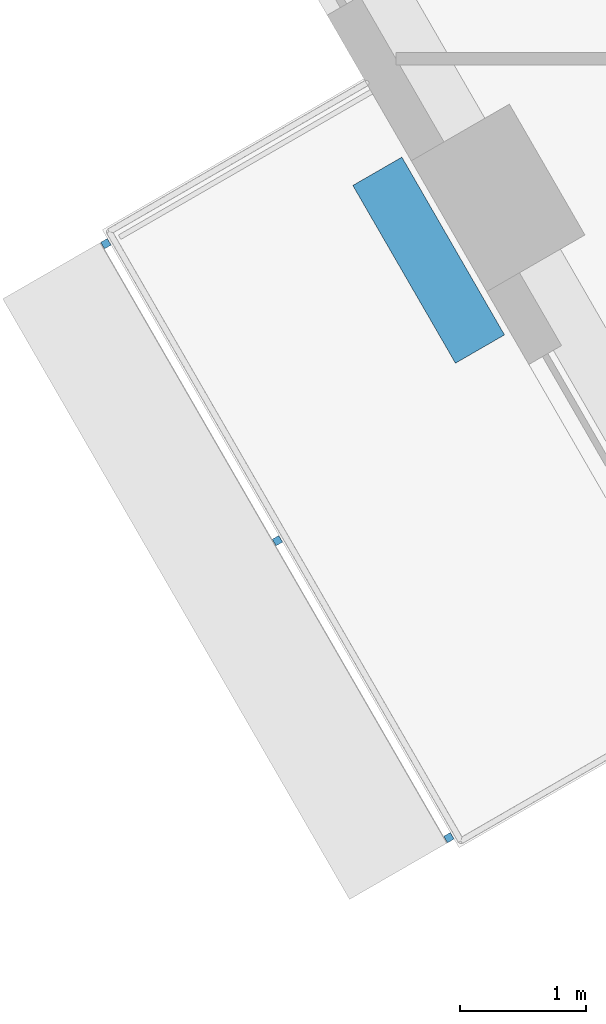
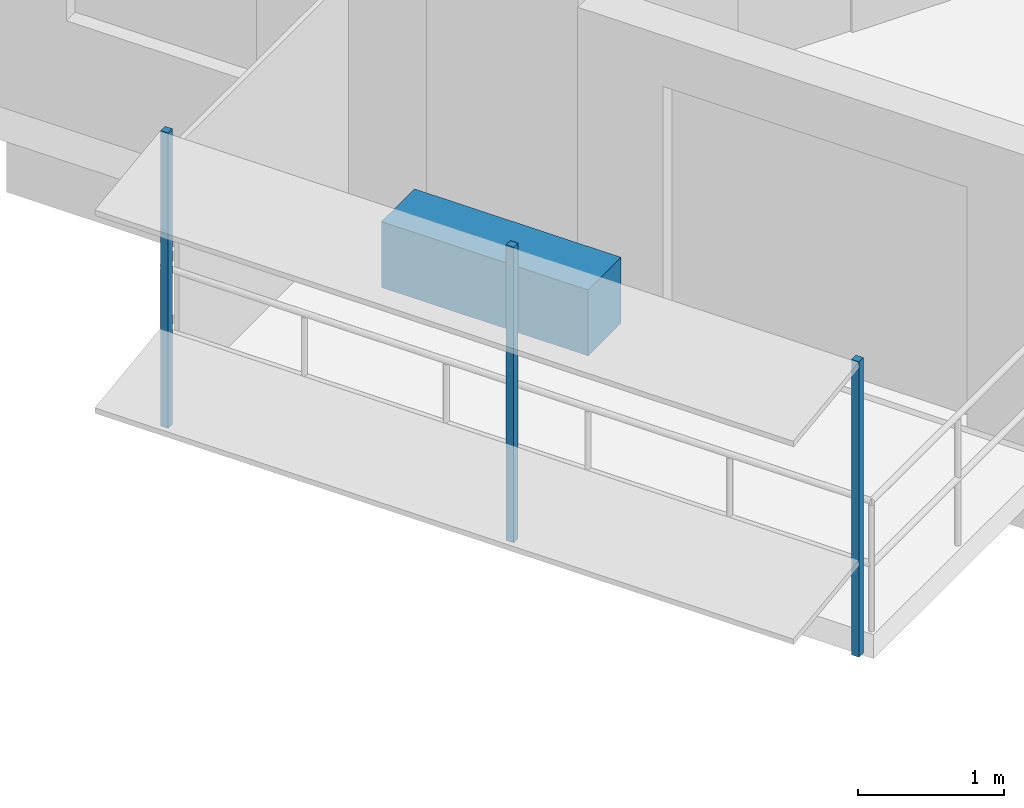
# One storey, part 10 of 15: 4 discrete accessories.
"""IFC4 building model written with IfcOpenShell, lengths in metres."""

from ifc_helpers import new_model, si_unit, direction, frame, origin, origin_2d, place, context, subcontext, project, spatial, rectangle, extrude, material, type_object, element, save


model = new_model("IFC4")

# Units and contexts
model_context = context("Model", 3, precision=1e-05, world=origin(), true_north=direction((0.0, 1.0)))
body_context = subcontext(model_context, "Body", "Model", "MODEL_VIEW")
ifc_project = project(units=[si_unit("LENGTHUNIT", "METRE"), si_unit("AREAUNIT", "SQUARE_METRE"), si_unit("VOLUMEUNIT", "CUBIC_METRE"), si_unit("PLANEANGLEUNIT", "RADIAN"), si_unit("MASSUNIT", "GRAM", prefix="KILO")], contexts=[model_context])

# Site, building, storey
site_placement = place(None, origin())
site = spatial("IfcSite", under=ifc_project, at=site_placement, CompositionType="ELEMENT")
building_placement = place(site_placement, origin())
building = spatial("IfcBuilding", under=site, at=building_placement, Name="Nakaniwa Court", CompositionType="ELEMENT")
storey_placement = place(building_placement, frame((0.0, 0.0, 189.89990234375)))
storey = spatial("IfcBuildingStorey", under=building, at=storey_placement, Name="L49", CompositionType="ELEMENT", Elevation=189.89990234375)

# Discrete accessories
ifc_material_1 = material(Name="Black powder-coated steel bracket S275", Category="steel")
discrete_accessory_type_1 = type_object("IfcDiscreteAccessoryType", Name="Black metal louvre bracket", PredefinedType="BRACKET", material=ifc_material_1)
for number, where, z_axis, x_axis, name in (
    (1, (57.7451171875, 68.386474609375, -0.229736328125), (0.0, 0.0, 1.0), (0.500016626402, -0.866015804314, 0.0), "L49 louvre bracket 01 1"),
    (2, (59.107421875, 66.02685546875, -0.229736328125), (0.0, 0.0, 1.0), (0.500016626402, -0.866015804314, 0.0), "L49 louvre bracket 01 2"),
    (3, (60.4697265625, 63.66748046875, -0.229736328125), (0.0, 0.0, 1.0), (0.500016626402, -0.866015804314, 0.0), "L49 louvre bracket 01 3"),
):
    element("IfcDiscreteAccessory", number, at=place(storey_placement, frame(where, z_axis=z_axis, x_axis=x_axis)), inside=storey, type_object=discrete_accessory_type_1, Name=name, PredefinedType="BRACKET", context=body_context, shape_type="SweptSolid", body=[
        extrude(rectangle(XDim=0.06005859375, YDim=0.06005859375, at=origin_2d()), origin(), (0.0, 0.0, 1.0), 2.46337890625),
    ])
ifc_material_2 = material(Name="Precast concrete C40/50 planter with planted soil", Category="concrete")
discrete_accessory_type_2 = type_object("IfcDiscreteAccessoryType", Name="Planter box charcoal concrete", PredefinedType="USERDEFINED", material=ifc_material_2)
discrete_accessory_placement = place(storey_placement, frame((60.30908203125, 68.25537109375, -0.0498046875), z_axis=(0.0, 0.0, 1.0), x_axis=(0.500016626402, -0.866015804314, 0.0)))
element("IfcDiscreteAccessory", 4, at=discrete_accessory_placement, inside=storey, type_object=discrete_accessory_type_2, Name="L49 balcony PLANTER 01", ObjectType="PLANTER", PredefinedType="USERDEFINED", context=body_context, shape_type="SweptSolid", body=[
    extrude(rectangle(XDim=1.630615234375, YDim=0.449951171875, at=origin_2d()), origin(), (0.0, 0.0, 1.0), 0.550048828125),
])

save(model, "model.ifc")
